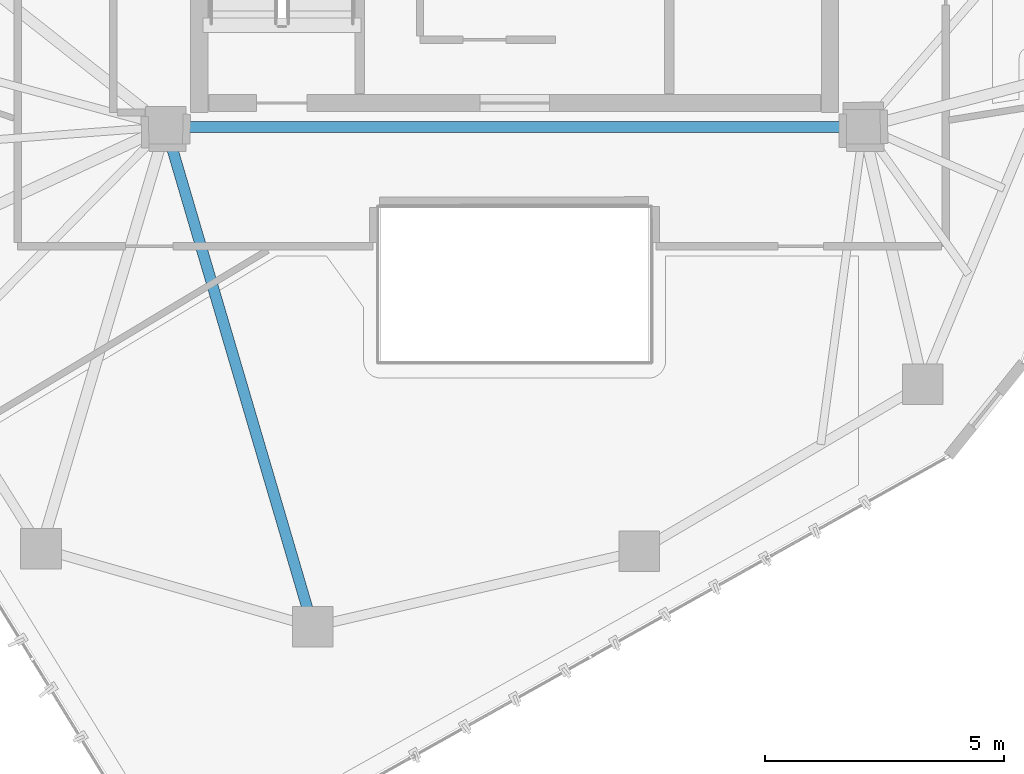
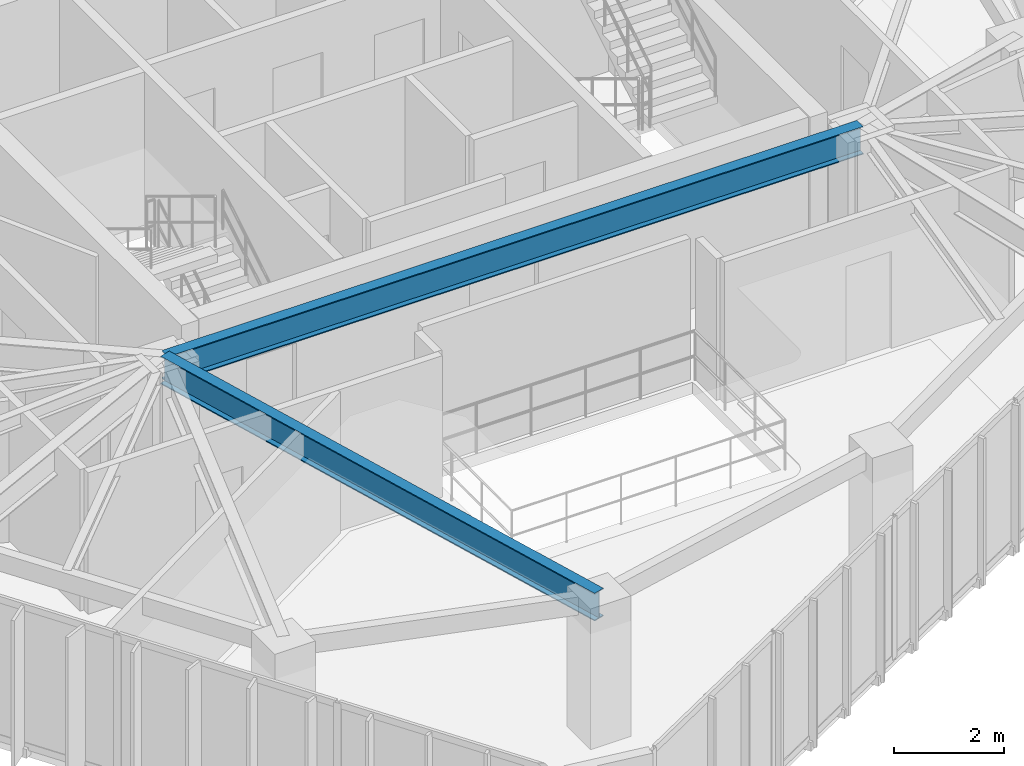
# One storey, part 5 of 20: 2 beams.
"""IFC4 building model written with IfcOpenShell, lengths in metres."""

from ifc_helpers import new_model, si_unit, direction, frame, origin, origin_2d, place, context, subcontext, project, spatial, i_section, extrude, material, material_profile, profile_set, type_object, element, save


model = new_model("IFC4")

# Units and contexts
model_context = context("Model", 3, precision=1e-05, world=origin(), true_north=direction((0.0, 1.0)))
body_context = subcontext(model_context, "Body", "Model", "MODEL_VIEW")
ifc_project = project(units=[si_unit("LENGTHUNIT", "METRE"), si_unit("AREAUNIT", "SQUARE_METRE"), si_unit("VOLUMEUNIT", "CUBIC_METRE"), si_unit("PLANEANGLEUNIT", "RADIAN"), si_unit("MASSUNIT", "GRAM", prefix="KILO")], contexts=[model_context])

# Site, building, storey
site_placement = place(None, origin())
site = spatial("IfcSite", under=ifc_project, at=site_placement, CompositionType="ELEMENT")
building_placement = place(site_placement, origin())
building = spatial("IfcBuilding", under=site, at=building_placement, Name="Talar Marvaseh", CompositionType="ELEMENT")
storey_placement = place(building_placement, frame((0.0, 0.0, 257.800048828125)))
storey = spatial("IfcBuildingStorey", under=building, at=storey_placement, Name="L68", CompositionType="ELEMENT", Elevation=257.800048828125)

# Beams
ifc_material = material(Name="Steel S355", Category="steel")
ifc_material_profile = material_profile(ifc_material, i_section(OverallWidth=0.22998046875, OverallDepth=0.616943359375, WebThickness=0.01318359375, FlangeThickness=0.022216796875, at=origin_2d()), Name="W610x140")
ifc_profile_set = profile_set([ifc_material_profile], Name="Steel S355")
beam_type = type_object("IfcBeamType", Name="Zone 4 Radial Floor Girder W610x140", PredefinedType="BEAM", material=ifc_profile_set)
beam_1_placement = place(storey_placement, frame((18.699951171875, 25.5, 2.83154296875), z_axis=(1.0, 0.0, 0.0), x_axis=(0.0, 1.0, 0.0)))
element("IfcBeam", 1, at=beam_1_placement, inside=storey, type_object=beam_type, Name="L68 Zone 4 Radial Floor Girder W610x140", PredefinedType="BEAM", context=body_context, shape_type="SweptSolid", body=[
    extrude(i_section(OverallWidth=0.22998046875, OverallDepth=0.616943359375, WebThickness=0.01318359375, FlangeThickness=0.022216796875, at=origin_2d()), origin(), (0.0, 0.0, 1.0), 14.60009765625),
])
beam_2_placement = place(storey_placement, frame((21.77587890625, 15.0400390625, 2.83154296875), z_axis=(-0.28212146763, 0.959378693479, 0.0), x_axis=(-0.959378693479, -0.28212146763, 0.0)))
element("IfcBeam", 2, at=beam_2_placement, inside=storey, type_object=beam_type, Name="L68 Zone 4 Radial Floor Girder W610x140", PredefinedType="BEAM", context=body_context, shape_type="SweptSolid", body=[
    extrude(i_section(OverallWidth=0.22998046875, OverallDepth=0.616943359375, WebThickness=0.01318359375, FlangeThickness=0.022216796875, at=origin_2d()), origin(), (0.0, 0.0, 1.0), 10.90283203125),
])

save(model, "model.ifc")
